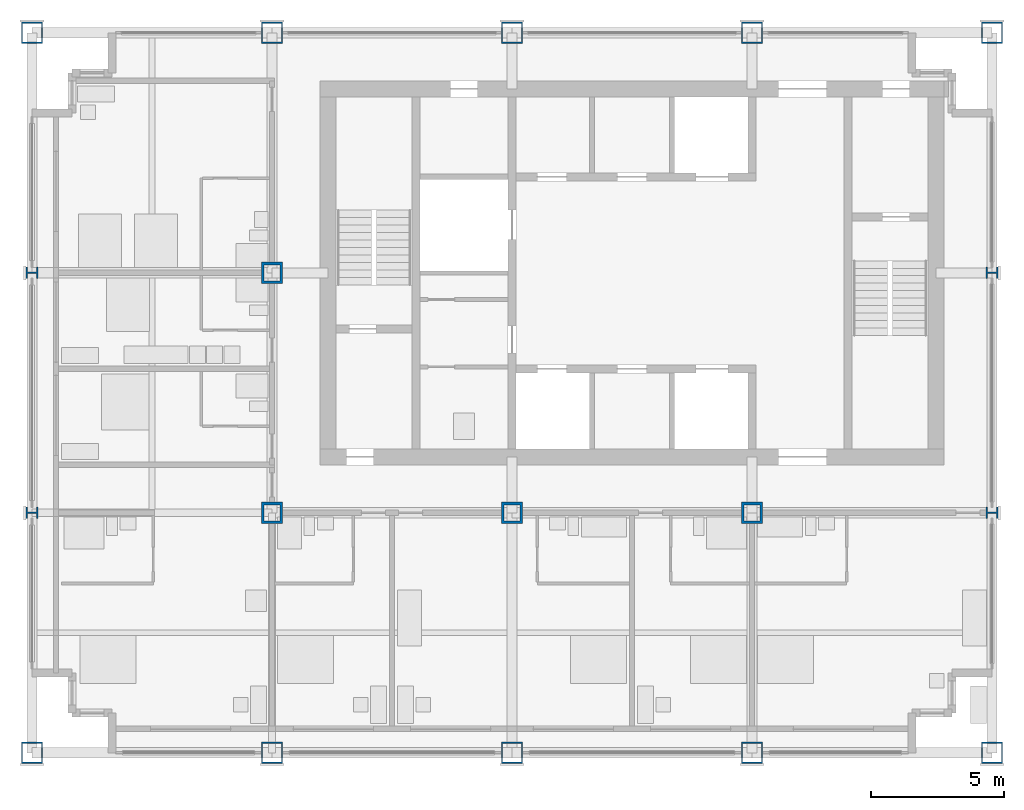
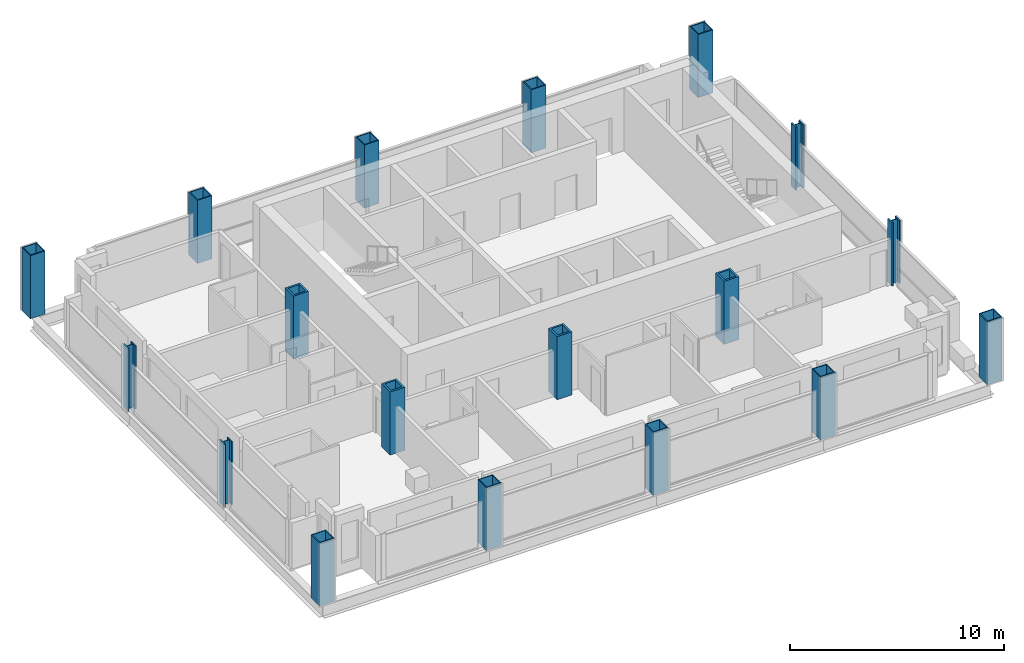
# One storey, part 1 of 12: 18 columns.
"""IFC4 building model written with IfcOpenShell, lengths in metres."""

from ifc_helpers import new_model, si_unit, direction, frame, origin, origin_2d, place, context, subcontext, project, spatial, hollow_rectangle, i_section, extrude, material, material_profile, profile_set, type_object, element, save


model = new_model("IFC4")

# Units and contexts
model_context = context("Model", 3, precision=1e-05, world=origin(), true_north=direction((0.0, 1.0)))
body_context = subcontext(model_context, "Body", "Model", "MODEL_VIEW")
ifc_project = project(units=[si_unit("LENGTHUNIT", "METRE"), si_unit("AREAUNIT", "SQUARE_METRE"), si_unit("VOLUMEUNIT", "CUBIC_METRE"), si_unit("PLANEANGLEUNIT", "RADIAN"), si_unit("MASSUNIT", "GRAM", prefix="KILO")], contexts=[model_context])

# Site, building, storey
site_placement = place(None, origin())
site = spatial("IfcSite", under=ifc_project, at=site_placement, CompositionType="ELEMENT")
building_placement = place(site_placement, origin())
building = spatial("IfcBuilding", under=site, at=building_placement, Name="Loomwork Tower", CompositionType="ELEMENT")
storey_placement = place(building_placement, frame((0.0, 0.0, 230.199951171875)))
storey = spatial("IfcBuildingStorey", under=building, at=storey_placement, Name="L63", CompositionType="ELEMENT", Elevation=230.199951171875)

# Columns
ifc_material_1 = material(Name="Steel ASTM A572 Grade 50 plate", Category="steel")
ifc_material_profile_1 = material_profile(ifc_material_1, hollow_rectangle(XDim=0.800048828125, YDim=0.800048828125, WallThickness=0.050048828125, at=origin_2d()), Name="BOX800x50")
ifc_profile_set_1 = profile_set([ifc_material_profile_1], Name="Steel ASTM A572 Grade 50 plate")
column_type_1 = type_object("IfcColumnType", Name="EXOSKELETON PIER BOX800x50", PredefinedType="COLUMN", material=ifc_profile_set_1)
for number, where, z_axis, x_axis, name in (
    (1, (0.0, 0.0, 0.0), (0.0, 0.0, 1.0), (1.0, 0.0, 0.0), "Exoskeleton Pier D/2 L63"),
    (2, (0.0, 27.0, 0.0), (0.0, 0.0, 1.0), (0.0, 1.0, 0.0), "Exoskeleton Pier G/2 L63"),
    (3, (9.0, 0.0, 0.0), (0.0, 0.0, 1.0), (1.0, 0.0, 0.0), "Exoskeleton Pier D/3 L63"),
    (4, (9.0, 27.0, 0.0), (0.0, 0.0, 1.0), (1.0, 0.0, 0.0), "Exoskeleton Pier G/3 L63"),
    (5, (18.0, 0.0, 0.0), (0.0, 0.0, 1.0), (1.0, 0.0, 0.0), "Exoskeleton Pier D/4 L63"),
    (6, (18.0, 27.0, 0.0), (0.0, 0.0, 1.0), (1.0, 0.0, 0.0), "Exoskeleton Pier G/4 L63"),
    (7, (27.0, 0.0, 0.0), (0.0, 0.0, 1.0), (1.0, 0.0, 0.0), "Exoskeleton Pier D/5 L63"),
    (8, (27.0, 27.0, 0.0), (0.0, 0.0, 1.0), (1.0, 0.0, 0.0), "Exoskeleton Pier G/5 L63"),
    (9, (36.0, 0.0, 0.0), (0.0, 0.0, 1.0), (1.0, 0.0, 0.0), "Exoskeleton Pier D/6 L63"),
    (10, (36.0, 27.0, 0.0), (0.0, 0.0, 1.0), (1.0, 0.0, 0.0), "Exoskeleton Pier G/6 L63"),
):
    element("IfcColumn", number, at=place(storey_placement, frame(where, z_axis=z_axis, x_axis=x_axis)), inside=storey, type_object=column_type_1, Name=name, PredefinedType="COLUMN", context=body_context, shape_type="SweptSolid", body=[
        extrude(hollow_rectangle(XDim=0.800048828125, YDim=0.800048828125, WallThickness=0.050048828125, at=origin_2d()), origin(), (0.0, 0.0, 1.0), 3.60009765625),
    ])
ifc_material_2 = material(Name="Steel ASTM A992", Category="steel")
ifc_material_profile_2 = material_profile(ifc_material_2, i_section(OverallWidth=0.421630859375, OverallDepth=0.46484375, WebThickness=0.044921875, FlangeThickness=0.072509765625, at=origin_2d()), Name="W14x398")
ifc_profile_set_2 = profile_set([ifc_material_profile_2], Name="Steel ASTM A992")
column_type_2 = type_object("IfcColumnType", Name="EXOSKELETON PIER W14x398", PredefinedType="COLUMN", material=ifc_profile_set_2)
for number, where, z_axis, x_axis, name in (
    (11, (0.0, 9.0, 0.0), (0.0, 0.0, 1.0), (0.0, 1.0, 0.0), "Exoskeleton Pier E/2 L63"),
    (12, (0.0, 18.0, 0.0), (0.0, 0.0, 1.0), (0.0, 1.0, 0.0), "Exoskeleton Pier F/2 L63"),
    (13, (36.0, 9.0, 0.0), (0.0, 0.0, 1.0), (0.0, 1.0, 0.0), "Exoskeleton Pier E/6 L63"),
    (14, (36.0, 18.0, 0.0), (0.0, 0.0, 1.0), (0.0, 1.0, 0.0), "Exoskeleton Pier F/6 L63"),
):
    element("IfcColumn", number, at=place(storey_placement, frame(where, z_axis=z_axis, x_axis=x_axis)), inside=storey, type_object=column_type_2, Name=name, PredefinedType="COLUMN", context=body_context, shape_type="SweptSolid", body=[
        extrude(i_section(OverallWidth=0.421630859375, OverallDepth=0.46484375, WebThickness=0.044921875, FlangeThickness=0.072509765625, at=origin_2d()), origin(), (0.0, 0.0, 1.0), 3.60009765625),
    ])
ifc_material_3 = material(Name="Steel ASTM A572 Grade 50 plate", Category="steel")
ifc_material_profile_3 = material_profile(ifc_material_3, hollow_rectangle(XDim=0.800048828125, YDim=0.800048828125, WallThickness=0.10009765625, at=origin_2d()), Name="BOX800x100")
ifc_profile_set_3 = profile_set([ifc_material_profile_3], Name="Steel ASTM A572 Grade 50 plate")
column_type_3 = type_object("IfcColumnType", Name="TOWER COLUMN BOX800x100", PredefinedType="COLUMN", material=ifc_profile_set_3)
for number, where, z_axis, x_axis, name in (
    (15, (9.0, 9.0, 0.0), (0.0, 0.0, 1.0), (1.0, 0.0, 0.0), "Tower Column E/3 L63"),
    (16, (9.0, 18.0, 0.0), (0.0, 0.0, 1.0), (1.0, 0.0, 0.0), "Tower Column F/3 L63"),
    (17, (18.0, 9.0, 0.0), (0.0, 0.0, 1.0), (1.0, 0.0, 0.0), "Tower Column E/4 L63"),
    (18, (27.0, 9.0, 0.0), (0.0, 0.0, 1.0), (1.0, 0.0, 0.0), "Tower Column E/5 L63"),
):
    element("IfcColumn", number, at=place(storey_placement, frame(where, z_axis=z_axis, x_axis=x_axis)), inside=storey, type_object=column_type_3, Name=name, PredefinedType="COLUMN", context=body_context, shape_type="SweptSolid", body=[
        extrude(hollow_rectangle(XDim=0.800048828125, YDim=0.800048828125, WallThickness=0.10009765625, at=origin_2d()), origin(), (0.0, 0.0, 1.0), 3.60009765625),
    ])

save(model, "model.ifc")
